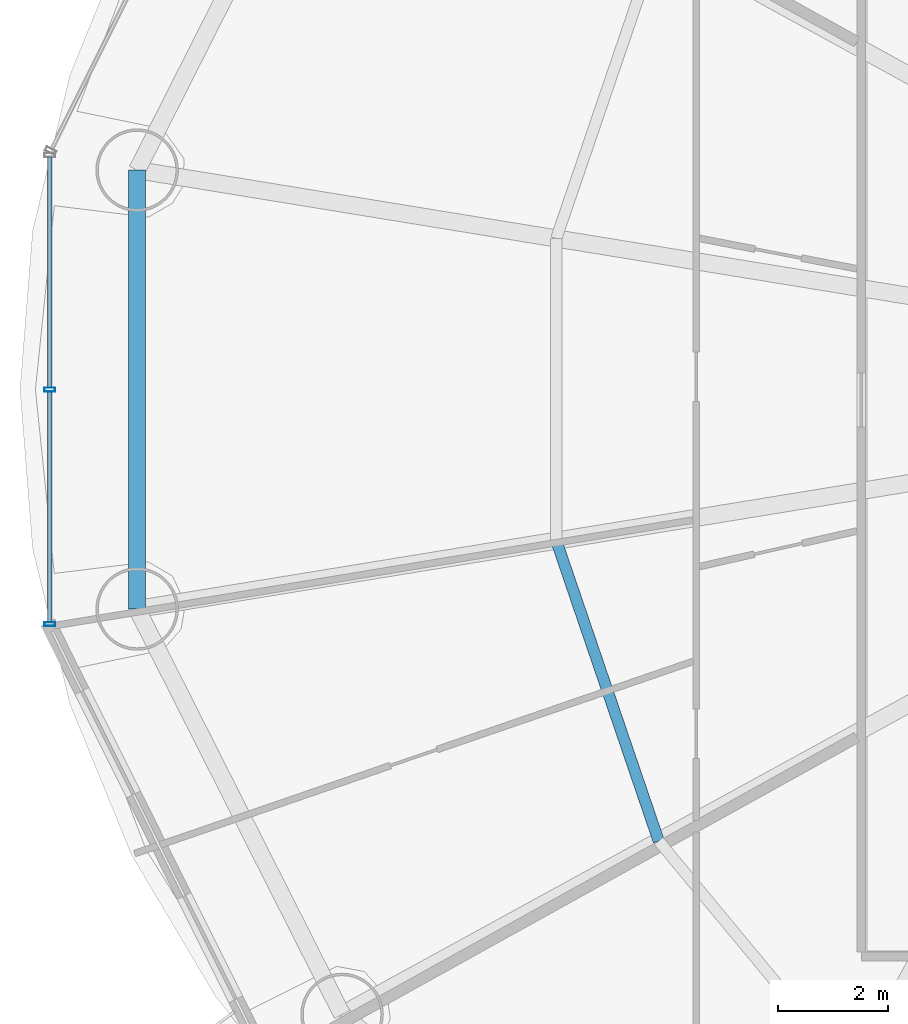
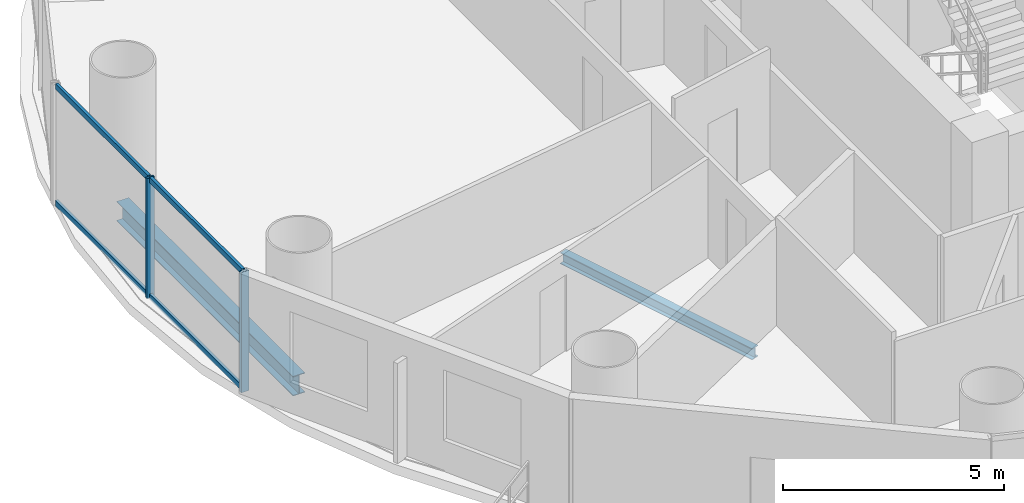
# One storey, part 7 of 29: 6 members, 2 beams, 1 element without a shape of its own.
"""IFC4 building model written with IfcOpenShell, lengths in metres."""

from ifc_helpers import new_model, si_unit, direction, frame, origin, origin_2d, place, context, subcontext, project, spatial, hollow_rectangle, i_section, extrude, source, transform, mapped, material, material_profile, profile_set, type_object, element, aggregate, save


model = new_model("IFC4")

# Units and contexts
model_context = context("Model", 3, precision=1e-05, world=origin(), true_north=direction((-0.2419218956, 0.970295726276)))
body_context = subcontext(model_context, "Body", "Model", "MODEL_VIEW")
ifc_project = project(units=[si_unit("LENGTHUNIT", "METRE"), si_unit("AREAUNIT", "SQUARE_METRE"), si_unit("VOLUMEUNIT", "CUBIC_METRE"), si_unit("PLANEANGLEUNIT", "RADIAN"), si_unit("MASSUNIT", "GRAM", prefix="KILO")], contexts=[model_context])

# Site, building, storey
site_placement = place(None, origin())
site = spatial("IfcSite", under=ifc_project, at=site_placement, CompositionType="ELEMENT")
building_placement = place(site_placement, origin())
building = spatial("IfcBuilding", under=site, at=building_placement, Name="Cobrevalo Terracotta Tower", CompositionType="ELEMENT")
storey_placement = place(building_placement, frame((0.0, 0.0, 123.0)))
storey = spatial("IfcBuildingStorey", under=building, at=storey_placement, Name="L32", CompositionType="ELEMENT", Elevation=123.0)

# Beams
ifc_material_1 = material(Name="Steel S355", Category="steel")
ifc_material_profile_1 = material_profile(ifc_material_1, i_section(OverallWidth=0.2041015625, OverallDepth=0.305908203125, WebThickness=0.008544921875, FlangeThickness=0.0146484375, at=origin_2d()), Name="W 310x67")
ifc_profile_set_1 = profile_set([ifc_material_profile_1], Name="Steel S355")
beam_type_1 = type_object("IfcBeamType", Name="Structural Joist W 310x67 (Steel S355)", PredefinedType="JOIST", material=ifc_profile_set_1)
beam_1_placement = place(storey_placement, frame((21.149658203125, 24.052734375, -0.427978515625), z_axis=(0.322846227919, -0.946451431991, 0.0), x_axis=(0.946451431991, 0.322846227919, 0.0)))
element("IfcBeam", 1, at=beam_1_placement, inside=storey, type_object=beam_type_1, Name="L32 circumferential secondary floor joist 09", PredefinedType="JOIST", context=body_context, shape_type="SweptSolid", body=[
    extrude(i_section(OverallWidth=0.2041015625, OverallDepth=0.305908203125, WebThickness=0.008544921875, FlangeThickness=0.0146484375, at=origin_2d()), origin(), (0.0, 0.0, 1.0), 5.77001953125),
])
ifc_material_profile_2 = material_profile(ifc_material_1, i_section(OverallWidth=0.31201171875, OverallDepth=0.54296875, WebThickness=0.0126953125, FlangeThickness=0.020263671875, at=origin_2d()), Name="W 530x150")
ifc_profile_set_2 = profile_set([ifc_material_profile_2], Name="Steel S355")
beam_type_2 = type_object("IfcBeamType", Name="Structural Spandrel W 530x150 (Steel S355)", PredefinedType="SPANDREL", material=ifc_profile_set_2)
beam_2_placement = place(storey_placement, frame((13.529296875, 30.78955078125, -0.54638671875), z_axis=(0.0, -1.0, 0.0), x_axis=(1.0, 0.0, 0.0)))
element("IfcBeam", 2, at=beam_2_placement, inside=storey, type_object=beam_type_2, Name="L32 perimeter ring spandrel 08", PredefinedType="SPANDREL", context=body_context, shape_type="SweptSolid", body=[
    extrude(i_section(OverallWidth=0.31201171875, OverallDepth=0.54296875, WebThickness=0.0126953125, FlangeThickness=0.020263671875, at=origin_2d()), origin(), (0.0, 0.0, 1.0), 7.979248046875),
])

# Curtain wall, members
ifc_material_2 = material(Name="Anodized aluminium", Category="aluminium")
curtain_wall_type = type_object("IfcCurtainWallType", Name="Lower-tower unitised acoustic low-E curtain wall CW-U1", PredefinedType="NOTDEFINED", material=ifc_material_2)
curtain_wall_placement = place(storey_placement, origin())
curtain_wall = element("IfcCurtainWall", 3, at=curtain_wall_placement, inside=storey, type_object=curtain_wall_type, Name="L32 curtain wall CW-L32-S08", PredefinedType="NOTDEFINED")
ifc_material_profile_3 = material_profile(ifc_material_2, hollow_rectangle(XDim=0.074951171875, YDim=0.14990234375, WallThickness=0.00439453125, at=origin_2d()), Name="CWT 75x150")
ifc_profile_set_3 = profile_set([ifc_material_profile_3], Name="Anodized aluminium")
member_type_1 = type_object("IfcMemberType", Name="Tower unitised aluminium transom 75x150", PredefinedType="USERDEFINED", material=ifc_profile_set_3)
shared_shape_1 = source(origin(), body_context, "Body", "SweptSolid", [
    extrude(hollow_rectangle(XDim=0.074951171875, YDim=0.14990234375, WallThickness=0.00439453125, at=origin_2d()), origin(), (0.0, 0.0, 1.0), 4.185546875),
])
member_1_placement = place(storey_placement, frame((11.9404296875, 31.025634765625, 0.050048828125), z_axis=(0.0, -1.0, 0.0), x_axis=(1.0, 0.0, 0.0)))
member_1 = element("IfcMember", 4, at=member_1_placement, type_object=member_type_1, Name="CW-L32-S08 transom B01-T1", ObjectType="TRANSOM", PredefinedType="USERDEFINED", context=body_context, shape_type="MappedRepresentation", body=[
    mapped(shared_shape_1, transform((0.0, 0.0, 0.0), scale=1.0)),
])
member_2_placement = place(storey_placement, frame((11.9404296875, 31.025634765625, 3.27490234375), z_axis=(0.0, -1.0, 0.0), x_axis=(1.0, 0.0, 0.0)))
member_2 = element("IfcMember", 5, at=member_2_placement, type_object=member_type_1, Name="CW-L32-S08 transom B01-T2", ObjectType="TRANSOM", PredefinedType="USERDEFINED", context=body_context, shape_type="MappedRepresentation", body=[
    mapped(shared_shape_1, transform((0.0, 0.0, 0.0), scale=1.0)),
])
member_3_placement = place(storey_placement, frame((11.9404296875, 26.760009765625, 0.050048828125), z_axis=(0.0, -1.0, 0.0), x_axis=(1.0, 0.0, 0.0)))
member_3 = element("IfcMember", 6, at=member_3_placement, type_object=member_type_1, Name="CW-L32-S08 transom B02-T1", ObjectType="TRANSOM", PredefinedType="USERDEFINED", context=body_context, shape_type="MappedRepresentation", body=[
    mapped(shared_shape_1, transform((0.0, 0.0, 0.0), scale=1.0)),
])
member_4_placement = place(storey_placement, frame((11.9404296875, 26.760009765625, 3.27490234375), z_axis=(0.0, -1.0, 0.0), x_axis=(1.0, 0.0, 0.0)))
member_4 = element("IfcMember", 7, at=member_4_placement, type_object=member_type_1, Name="CW-L32-S08 transom B02-T2", ObjectType="TRANSOM", PredefinedType="USERDEFINED", context=body_context, shape_type="MappedRepresentation", body=[
    mapped(shared_shape_1, transform((0.0, 0.0, 0.0), scale=1.0)),
])
ifc_material_profile_4 = material_profile(ifc_material_2, hollow_rectangle(XDim=0.074951171875, YDim=0.199951171875, WallThickness=0.0048828125, at=origin_2d()), Name="CWM 75x200")
ifc_profile_set_4 = profile_set([ifc_material_profile_4], Name="Anodized aluminium")
member_type_2 = type_object("IfcMemberType", Name="Lower/mid tower unitised mullion 75x200", PredefinedType="MULLION", material=ifc_profile_set_4)
shared_shape_2 = source(origin(), body_context, "Body", "SweptSolid", [
    extrude(hollow_rectangle(XDim=0.074951171875, YDim=0.199951171875, WallThickness=0.0048828125, at=origin_2d()), origin(), (0.0, 0.0, 1.0), 3.324951171875),
])
member_5_placement = place(storey_placement, frame((11.9404296875, 26.800048828125, 0.0), z_axis=(0.0, 0.0, 1.0), x_axis=(0.0, -1.0, 0.0)))
member_5 = element("IfcMember", 8, at=member_5_placement, type_object=member_type_2, Name="CW-L32-S08 vertical mullion 02", PredefinedType="MULLION", context=body_context, shape_type="MappedRepresentation", body=[
    mapped(shared_shape_2, transform((0.0, 0.0, 0.0), scale=1.0)),
])
member_6_placement = place(storey_placement, frame((11.9404296875, 22.534423828125, 0.0), z_axis=(0.0, 0.0, 1.0), x_axis=(0.0, -1.0, 0.0)))
member_6 = element("IfcMember", 9, at=member_6_placement, type_object=member_type_2, Name="CW-L32-S08 vertical mullion 03", PredefinedType="MULLION", context=body_context, shape_type="MappedRepresentation", body=[
    mapped(shared_shape_2, transform((0.0, 0.0, 0.0), scale=1.0)),
])
aggregate(curtain_wall, [member_5, member_6, member_1, member_2, member_3, member_4])

save(model, "model.ifc")
